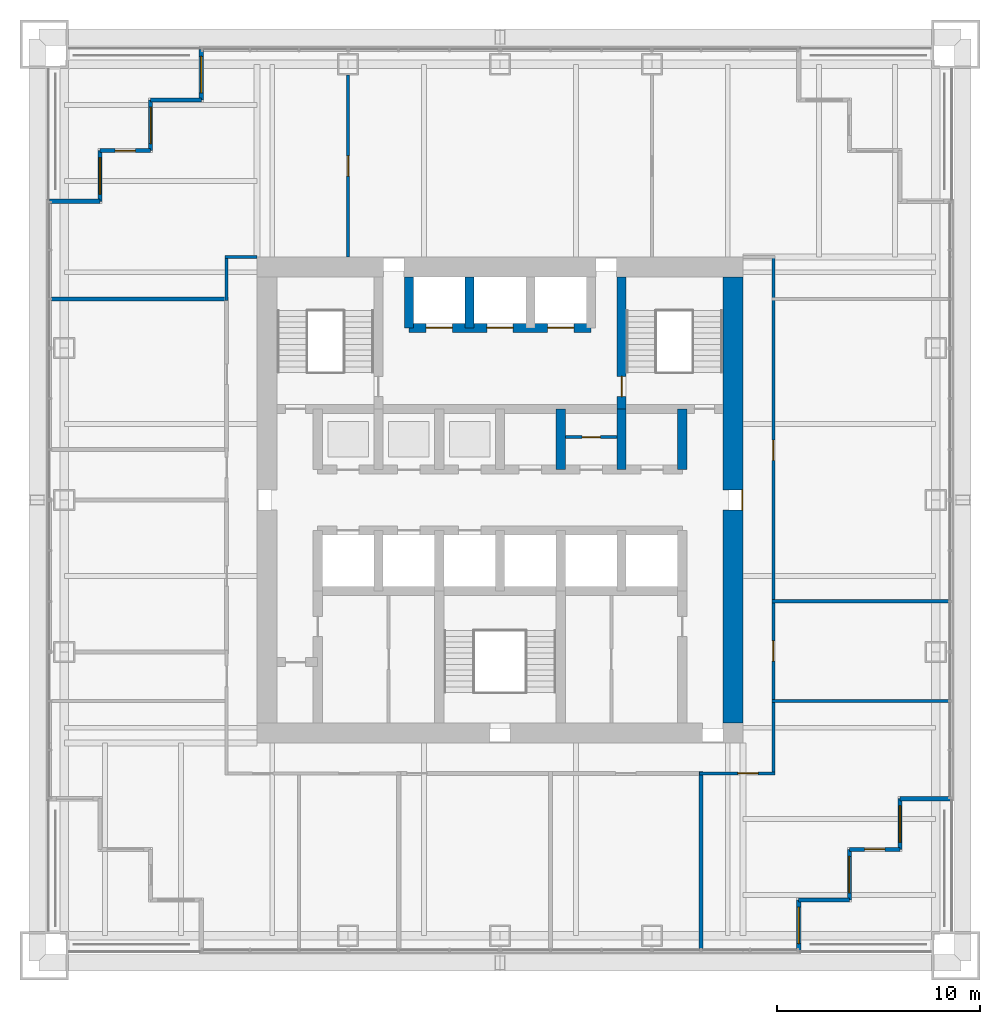
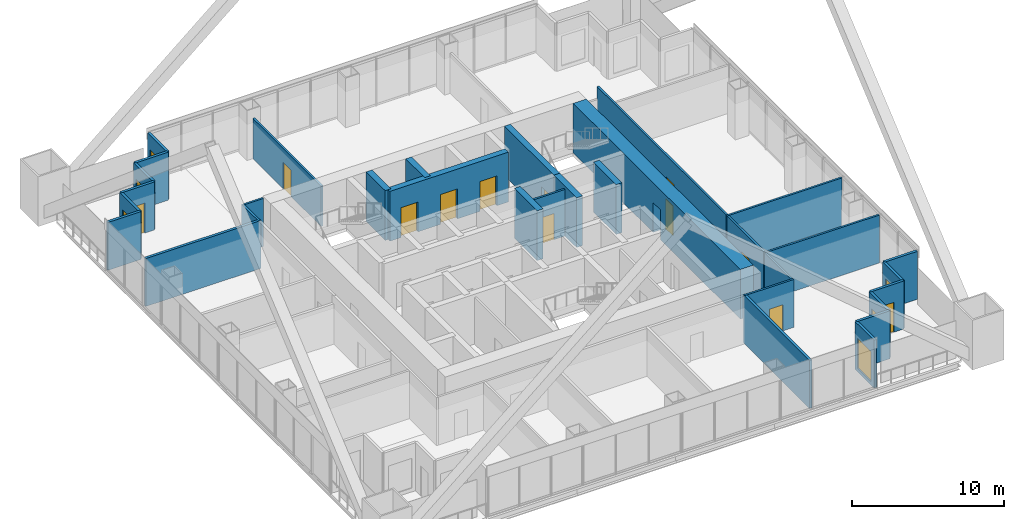
# One storey, part 10 of 14: 30 walls, 12 doors, 6 windows, 18 openings.
"""IFC4 building model written with IfcOpenShell, lengths in metres."""

from ifc_helpers import new_model, si_unit, direction, frame, frame_2d, origin, place, context, subcontext, project, spatial, rectangle, extrude, material, layer, layer_set, type_object, element, fill, save


model = new_model("IFC4")

# Units and contexts
model_context = context("Model", 3, precision=1e-05, world=origin(), true_north=direction((0.0, 1.0)))
body_context = subcontext(model_context, "Body", "Model", "MODEL_VIEW")
ifc_project = project(units=[si_unit("LENGTHUNIT", "METRE"), si_unit("AREAUNIT", "SQUARE_METRE"), si_unit("VOLUMEUNIT", "CUBIC_METRE"), si_unit("PLANEANGLEUNIT", "RADIAN"), si_unit("MASSUNIT", "GRAM", prefix="KILO")], contexts=[model_context])

# Site, building, storey
site_placement = place(None, origin())
site = spatial("IfcSite", under=ifc_project, at=site_placement, CompositionType="ELEMENT")
building_placement = place(site_placement, origin())
building = spatial("IfcBuilding", under=site, at=building_placement, Name="Tarangal Relay Tower", CompositionType="ELEMENT")
storey_placement = place(building_placement, frame((0.0, 0.0, 177.89990234375)))
storey = spatial("IfcBuildingStorey", under=building, at=storey_placement, Name="L36", CompositionType="ELEMENT", Elevation=177.89990234375)

# Walls
ifc_material_1 = material(Name="Two layers gypsum board each side on twin steel studs, mineral wool", Category="steel")
ifc_layer_1 = layer(ifc_material_1, 0.199951171875)
ifc_layer_set_1 = layer_set([ifc_layer_1], Name="Acoustic partition 200")
wall_type_1 = type_object("IfcWallType", Name="Acoustic partition 200", PredefinedType="PARTITIONING", material=ifc_layer_set_1)
for number, where, z_axis, x_axis, name in (
    (1, (-22.14990234375, 9.9169921875, 0.0), (0.0, 0.0, 1.0), (1.0, 0.0, 0.0), "Partition PT2 L36"),
    (2, (9.9169921875, -22.14990234375, 0.0), (0.0, 0.0, 1.0), (0.0, 1.0, 0.0), "Partition PT2 L36"),
):
    element("IfcWall", number, at=place(storey_placement, frame(where, z_axis=z_axis, x_axis=x_axis)), inside=storey, type_object=wall_type_1, Name=name, PredefinedType="PARTITIONING", context=body_context, shape_type="SweptSolid", body=[
        extrude(rectangle(XDim=8.75, YDim=0.199951171875, at=frame_2d((4.375, 0.0))), origin(), (0.0, 0.0, 1.0), 3.85009765625),
    ])

# Wall, openings, doors
ifc_material_2 = material(Name="Concrete fc' 60 MPa", Category="concrete")
ifc_layer_2 = layer(ifc_material_2, 0.449951171875)
ifc_layer_set_2 = layer_set([ifc_layer_2], Name="Core inner wall 450")
wall_type_2 = type_object("IfcWallType", Name="Core inner wall 450", PredefinedType="SHEAR", material=ifc_layer_set_2)
wall_1_placement = place(storey_placement, frame((-4.5, 8.5, 0.0), z_axis=(0.0, 0.0, 1.0), x_axis=(1.0, 0.0, 0.0)))
wall_1 = element("IfcWall", 3, at=wall_1_placement, inside=storey, type_object=wall_type_2, Name="Core wall Y85 L36", PredefinedType="SHEAR", context=body_context, shape_type="SweptSolid", body=[
    extrude(rectangle(XDim=9.0, YDim=0.449951171875, at=frame_2d((4.5, 0.0))), origin(), (0.0, 0.0, 1.0), 4.0),
])
opening_1_placement = place(wall_1_placement, frame((0.85009765625, 0.0, 0.0)))
opening_1 = element("IfcOpeningElement", 4, at=opening_1_placement, cuts=wall_1, Name="Opening LD2", PredefinedType="OPENING", context=body_context, shape_type="SweptSolid", body=[
    extrude(rectangle(XDim=1.300048828125, YDim=2.39990234375, at=frame_2d((0.64990234375, 1.199951171875))), frame((0.0, 0.23486328125, 0.0), z_axis=(0.0, -1.0, 0.0), x_axis=(1.0, 0.0, 0.0)), (0.0, 0.0, 1.0), 0.469970703125),
])
opening_2_placement = place(wall_1_placement, frame((6.85009765625, 0.0, 0.0)))
opening_2 = element("IfcOpeningElement", 5, at=opening_2_placement, cuts=wall_1, Name="Opening LD2", PredefinedType="OPENING", context=body_context, shape_type="SweptSolid", body=[
    extrude(rectangle(XDim=1.300048828125, YDim=2.39990234375, at=frame_2d((0.64990234375, 1.199951171875))), frame((0.0, 0.23486328125, 0.0), z_axis=(0.0, -1.0, 0.0), x_axis=(1.0, 0.0, 0.0)), (0.0, 0.0, 1.0), 0.469970703125),
])
opening_3_placement = place(wall_1_placement, frame((3.85009765625, 0.0, 0.0)))
opening_3 = element("IfcOpeningElement", 6, at=opening_3_placement, cuts=wall_1, Name="Opening LD2", PredefinedType="OPENING", context=body_context, shape_type="SweptSolid", body=[
    extrude(rectangle(XDim=1.300048828125, YDim=2.39990234375, at=frame_2d((0.64990234375, 1.199951171875))), frame((0.0, 0.23486328125, 0.0), z_axis=(0.0, -1.0, 0.0), x_axis=(1.0, 0.0, 0.0)), (0.0, 0.0, 1.0), 0.469970703125),
])
ifc_material_3 = material(Name="Steel door with hardwood frame", Category="steel")
door_type_1 = type_object("IfcDoorType", Name="Lift landing door 1300 x 2400", OperationType="SLIDING_TO_LEFT", PredefinedType="DOOR", material=ifc_material_3)
door_1_placement = place(opening_1_placement, origin())
door_1 = element("IfcDoor", 7, at=door_1_placement, inside=storey, type_object=door_type_1, Name="Lift FF1 landing door L36", OperationType="SLIDING_TO_LEFT", OverallHeight=2.39990234375, OverallWidth=1.300048828125, PredefinedType="DOOR", context=body_context, shape_type="SweptSolid", body=[
    extrude(rectangle(XDim=1.300048828125, YDim=2.39990234375, at=frame_2d((0.64990234375, 1.199951171875))), frame((0.0, 0.02490234375, 0.0), z_axis=(0.0, -1.0, 0.0), x_axis=(1.0, 0.0, 0.0)), (0.0, 0.0, 1.0), 0.050048828125),
])
fill(opening_1, door_1)
door_2_placement = place(opening_2_placement, origin())
door_2 = element("IfcDoor", 8, at=door_2_placement, inside=storey, type_object=door_type_1, Name="Lift FF2 landing door L36", OperationType="SLIDING_TO_LEFT", OverallHeight=2.39990234375, OverallWidth=1.300048828125, PredefinedType="DOOR", context=body_context, shape_type="SweptSolid", body=[
    extrude(rectangle(XDim=1.300048828125, YDim=2.39990234375, at=frame_2d((0.64990234375, 1.199951171875))), frame((0.0, 0.02490234375, 0.0), z_axis=(0.0, -1.0, 0.0), x_axis=(1.0, 0.0, 0.0)), (0.0, 0.0, 1.0), 0.050048828125),
])
fill(opening_2, door_2)
door_3_placement = place(opening_3_placement, origin())
door_3 = element("IfcDoor", 9, at=door_3_placement, inside=storey, type_object=door_type_1, Name="Lift SV1 landing door L36", OperationType="SLIDING_TO_LEFT", OverallHeight=2.39990234375, OverallWidth=1.300048828125, PredefinedType="DOOR", context=body_context, shape_type="SweptSolid", body=[
    extrude(rectangle(XDim=1.300048828125, YDim=2.39990234375, at=frame_2d((0.64990234375, 1.199951171875))), frame((0.0, 0.02490234375, 0.0), z_axis=(0.0, -1.0, 0.0), x_axis=(1.0, 0.0, 0.0)), (0.0, 0.0, 1.0), 0.050048828125),
])
fill(opening_3, door_3)

# Walls
for number, where, z_axis, x_axis, name in (
    (10, (9.0, 1.5, 0.0), (0.0, 0.0, 1.0), (0.0, 1.0, 0.0), "Core wall X9N L36"),
    (11, (3.0, 1.5, 0.0), (0.0, 0.0, 1.0), (0.0, 1.0, 0.0), "Core wall X3N L36"),
    (12, (6.0, 1.5, 0.0), (0.0, 0.0, 1.0), (0.0, 1.0, 0.0), "Core wall X6N L36"),
):
    element("IfcWall", number, at=place(storey_placement, frame(where, z_axis=z_axis, x_axis=x_axis)), inside=storey, type_object=wall_type_2, Name=name, PredefinedType="SHEAR", context=body_context, shape_type="SweptSolid", body=[
        extrude(rectangle(XDim=3.0, YDim=0.449951171875, at=frame_2d((1.5, 0.0))), origin(), (0.0, 0.0, 1.0), 4.0),
    ])

# Wall, opening, door
wall_2_placement = place(storey_placement, frame((6.0, 4.5, 0.0), z_axis=(0.0, 0.0, 1.0), x_axis=(0.0, 1.0, 0.0)))
wall_2 = element("IfcWall", 13, at=wall_2_placement, inside=storey, type_object=wall_type_2, Name="Core wall X6 L36", PredefinedType="SHEAR", context=body_context, shape_type="SweptSolid", body=[
    extrude(rectangle(XDim=6.5, YDim=0.449951171875, at=frame_2d((3.25, 0.0))), origin(), (0.0, 0.0, 1.0), 4.0),
])
opening_4_placement = place(wall_2_placement, frame((0.60009765625, 0.0, 0.0)))
opening_4 = element("IfcOpeningElement", 14, at=opening_4_placement, cuts=wall_2, Name="Opening FD1", PredefinedType="OPENING", context=body_context, shape_type="SweptSolid", body=[
    extrude(rectangle(XDim=1.0, YDim=2.10009765625, at=frame_2d((0.5, 1.050048828125))), frame((0.0, 0.23486328125, 0.0), z_axis=(0.0, -1.0, 0.0), x_axis=(1.0, 0.0, 0.0)), (0.0, 0.0, 1.0), 0.469970703125),
])
door_type_2 = type_object("IfcDoorType", Name="Fire door 1000 x 2100", OperationType="SINGLE_SWING_LEFT", PredefinedType="DOOR", material=ifc_material_3)
door_4_placement = place(opening_4_placement, origin())
door_4 = element("IfcDoor", 15, at=door_4_placement, inside=storey, type_object=door_type_2, Name="Stair ST-B door from fire-fighting lobby L36", OperationType="SINGLE_SWING_LEFT", OverallHeight=2.10009765625, OverallWidth=1.0, PredefinedType="DOOR", context=body_context, shape_type="SweptSolid", body=[
    extrude(rectangle(XDim=1.0, YDim=2.10009765625, at=frame_2d((0.5, 1.050048828125))), frame((0.0, 0.02490234375, 0.0), z_axis=(0.0, -1.0, 0.0), x_axis=(1.0, 0.0, 0.0)), (0.0, 0.0, 1.0), 0.050048828125),
])
fill(opening_4, door_4)

# Walls
for number, where, z_axis, x_axis, name in (
    (16, (-4.5, 8.5, 0.0), (0.0, 0.0, 1.0), (0.0, 1.0, 0.0), "Core wall XM45 L36"),
    (17, (-1.5, 8.5, 0.0), (0.0, 0.0, 1.0), (0.0, 1.0, 0.0), "Core wall XM15 L36"),
):
    element("IfcWall", number, at=place(storey_placement, frame(where, z_axis=z_axis, x_axis=x_axis)), inside=storey, type_object=wall_type_2, Name=name, PredefinedType="SHEAR", context=body_context, shape_type="SweptSolid", body=[
        extrude(rectangle(XDim=2.5, YDim=0.449951171875, at=frame_2d((1.25, 0.0))), origin(), (0.0, 0.0, 1.0), 4.0),
    ])

# Wall, opening, door
ifc_layer_3 = layer(ifc_material_2, 1.0)
ifc_layer_set_3 = layer_set([ifc_layer_3], Name="Core wall 1000")
wall_type_3 = type_object("IfcWallType", Name="Core wall 1000", PredefinedType="SHEAR", material=ifc_layer_set_3)
wall_3_placement = place(storey_placement, frame((11.5, 11.0, 0.0), z_axis=(0.0, 0.0, 1.0), x_axis=(0.0, -1.0, 0.0)))
wall_3 = element("IfcWall", 18, at=wall_3_placement, inside=storey, type_object=wall_type_3, Name="Core wall E L36", PredefinedType="SHEAR", context=body_context, shape_type="SweptSolid", body=[
    extrude(rectangle(XDim=22.0, YDim=1.0, at=frame_2d((11.0, 0.0))), origin(), (0.0, 0.0, 1.0), 4.0),
])
opening_5_placement = place(wall_3_placement, frame((10.5, 0.0, 0.0)))
opening_5 = element("IfcOpeningElement", 19, at=opening_5_placement, cuts=wall_3, Name="Opening FD3", PredefinedType="OPENING", context=body_context, shape_type="SweptSolid", body=[
    extrude(rectangle(XDim=1.0, YDim=2.39990234375, at=frame_2d((0.5, 1.199951171875))), frame((0.0, 0.510009765625, 0.0), z_axis=(0.0, -1.0, 0.0), x_axis=(1.0, 0.0, 0.0)), (0.0, 0.0, 1.0), 1.02001953125),
])
door_type_3 = type_object("IfcDoorType", Name="Fire door 1000 x 2400 core entry", OperationType="SINGLE_SWING_RIGHT", PredefinedType="DOOR", material=ifc_material_3)
door_5_placement = place(opening_5_placement, origin())
door_5 = element("IfcDoor", 20, at=door_5_placement, inside=storey, type_object=door_type_3, Name="Core entry door east L36", OperationType="SINGLE_SWING_RIGHT", OverallHeight=2.39990234375, OverallWidth=1.0, PredefinedType="DOOR", context=body_context, shape_type="SweptSolid", body=[
    extrude(rectangle(XDim=1.0, YDim=2.39990234375, at=frame_2d((0.5, 1.199951171875))), frame((0.0, 0.48486328125, 0.0), z_axis=(0.0, -1.0, 0.0), x_axis=(1.0, 0.0, 0.0)), (0.0, 0.0, 1.0), 0.050048828125),
])
fill(opening_5, door_5)

# Wall
ifc_material_4 = material(Name="Black metal clad insulated wall", Category="steel")
ifc_layer_4 = layer(ifc_material_4, 0.199951171875)
ifc_layer_set_4 = layer_set([ifc_layer_4], Name="Corner wall metal clad 200")
wall_type_4 = type_object("IfcWallType", Name="Corner wall metal clad 200", PredefinedType="SOLIDWALL", material=ifc_layer_set_4)
wall_4_placement = place(storey_placement, frame((22.25, -14.75, 0.0), z_axis=(0.0, 0.0, 1.0), x_axis=(-1.0, 0.0, 0.0)))
element("IfcWall", 21, at=wall_4_placement, inside=storey, type_object=wall_type_4, Name="Facade wall E facade L36", PredefinedType="SOLIDWALL", context=body_context, shape_type="SweptSolid", body=[
    extrude(rectangle(XDim=2.5, YDim=0.199951171875, at=frame_2d((1.25, 0.0))), origin(), (0.0, 0.0, 1.0), 3.85009765625),
])

# Wall, opening, window
wall_5_placement = place(storey_placement, frame((19.75, -14.75, 0.0), z_axis=(0.0, 0.0, 1.0), x_axis=(0.0, -1.0, 0.0)))
wall_5 = element("IfcWall", 22, at=wall_5_placement, inside=storey, type_object=wall_type_4, Name="Facade wall E facade L36", PredefinedType="SOLIDWALL", context=body_context, shape_type="SweptSolid", body=[
    extrude(rectangle(XDim=2.5, YDim=0.199951171875, at=frame_2d((1.25, 0.0))), origin(), (0.0, 0.0, 1.0), 3.85009765625),
])
opening_6_placement = place(wall_5_placement, frame((0.35009765625, 0.0, 0.300048828125)))
opening_6 = element("IfcOpeningElement", 23, at=opening_6_placement, cuts=wall_5, Name="Opening WN2", PredefinedType="OPENING", context=body_context, shape_type="SweptSolid", body=[
    extrude(rectangle(XDim=1.800048828125, YDim=2.39990234375, at=frame_2d((0.89990234375, 1.199951171875))), frame((0.0, 0.10986328125, 0.0), z_axis=(0.0, -1.0, 0.0), x_axis=(1.0, 0.0, 0.0)), (0.0, 0.0, 1.0), 0.219970703125),
])
ifc_material_5 = material(Name="Dark tinted double glazing in black aluminium frame", Category="aluminium")
window_type = type_object("IfcWindowType", Name="Corner window 1800 x 2400", PartitioningType="SINGLE_PANEL", PredefinedType="WINDOW", material=ifc_material_5)
window_1_placement = place(opening_6_placement, origin())
window_1 = element("IfcWindow", 24, at=window_1_placement, inside=storey, type_object=window_type, Name="Corner window WN2 E facade L36", OverallHeight=2.39990234375, OverallWidth=1.800048828125, PartitioningType="SINGLE_PANEL", PredefinedType="WINDOW", context=body_context, shape_type="SweptSolid", body=[
    extrude(rectangle(XDim=1.800048828125, YDim=2.39990234375, at=frame_2d((0.89990234375, 1.199951171875))), frame((0.0, 0.030029296875, 0.0), z_axis=(0.0, -1.0, 0.0), x_axis=(1.0, 0.0, 0.0)), (0.0, 0.0, 1.0), 0.06005859375),
])
fill(opening_6, window_1)

# Wall, opening, door
wall_6_placement = place(storey_placement, frame((19.75, -17.25, 0.0), z_axis=(0.0, 0.0, 1.0), x_axis=(-1.0, 0.0, 0.0)))
wall_6 = element("IfcWall", 25, at=wall_6_placement, inside=storey, type_object=wall_type_4, Name="Facade wall E facade L36", PredefinedType="SOLIDWALL", context=body_context, shape_type="SweptSolid", body=[
    extrude(rectangle(XDim=2.5, YDim=0.199951171875, at=frame_2d((1.25, 0.0))), origin(), (0.0, 0.0, 1.0), 3.85009765625),
])
opening_7_placement = place(wall_6_placement, frame((0.75, 0.0, 0.0)))
opening_7 = element("IfcOpeningElement", 26, at=opening_7_placement, cuts=wall_6, Name="Opening TD1", PredefinedType="OPENING", context=body_context, shape_type="SweptSolid", body=[
    extrude(rectangle(XDim=1.0, YDim=2.39990234375, at=frame_2d((0.5, 1.199951171875))), frame((0.0, 0.10986328125, 0.0), z_axis=(0.0, -1.0, 0.0), x_axis=(1.0, 0.0, 0.0)), (0.0, 0.0, 1.0), 0.219970703125),
])
ifc_material_6 = material(Name="Aluminium glazed door", Category="aluminium")
door_type_4 = type_object("IfcDoorType", Name="Terrace door 1000 x 2400", OperationType="SINGLE_SWING_RIGHT", PredefinedType="DOOR", material=ifc_material_6)
door_6_placement = place(opening_7_placement, origin())
door_6 = element("IfcDoor", 27, at=door_6_placement, inside=storey, type_object=door_type_4, Name="Terrace door TD1 SE L36", OperationType="SINGLE_SWING_RIGHT", OverallHeight=2.39990234375, OverallWidth=1.0, PredefinedType="DOOR", context=body_context, shape_type="SweptSolid", body=[
    extrude(rectangle(XDim=1.0, YDim=2.39990234375, at=frame_2d((0.5, 1.199951171875))), frame((0.0, 0.02490234375, 0.0), z_axis=(0.0, -1.0, 0.0), x_axis=(1.0, 0.0, 0.0)), (0.0, 0.0, 1.0), 0.050048828125),
])
fill(opening_7, door_6)

# Wall, opening, window
wall_7_placement = place(storey_placement, frame((17.25, -17.25, 0.0), z_axis=(0.0, 0.0, 1.0), x_axis=(0.0, -1.0, 0.0)))
wall_7 = element("IfcWall", 28, at=wall_7_placement, inside=storey, type_object=wall_type_4, Name="Facade wall E facade L36", PredefinedType="SOLIDWALL", context=body_context, shape_type="SweptSolid", body=[
    extrude(rectangle(XDim=2.5, YDim=0.199951171875, at=frame_2d((1.25, 0.0))), origin(), (0.0, 0.0, 1.0), 3.85009765625),
])
opening_8_placement = place(wall_7_placement, frame((0.35009765625, 0.0, 0.300048828125)))
opening_8 = element("IfcOpeningElement", 29, at=opening_8_placement, cuts=wall_7, Name="Opening WN2", PredefinedType="OPENING", context=body_context, shape_type="SweptSolid", body=[
    extrude(rectangle(XDim=1.800048828125, YDim=2.39990234375, at=frame_2d((0.89990234375, 1.199951171875))), frame((0.0, 0.10986328125, 0.0), z_axis=(0.0, -1.0, 0.0), x_axis=(1.0, 0.0, 0.0)), (0.0, 0.0, 1.0), 0.219970703125),
])
window_2_placement = place(opening_8_placement, origin())
window_2 = element("IfcWindow", 30, at=window_2_placement, inside=storey, type_object=window_type, Name="Corner window WN2 E facade L36", OverallHeight=2.39990234375, OverallWidth=1.800048828125, PartitioningType="SINGLE_PANEL", PredefinedType="WINDOW", context=body_context, shape_type="SweptSolid", body=[
    extrude(rectangle(XDim=1.800048828125, YDim=2.39990234375, at=frame_2d((0.89990234375, 1.199951171875))), frame((0.0, 0.030029296875, 0.0), z_axis=(0.0, -1.0, 0.0), x_axis=(1.0, 0.0, 0.0)), (0.0, 0.0, 1.0), 0.06005859375),
])
fill(opening_8, window_2)

# Wall
wall_8_placement = place(storey_placement, frame((17.25, -19.75, 0.0), z_axis=(0.0, 0.0, 1.0), x_axis=(-1.0, 0.0, 0.0)))
element("IfcWall", 31, at=wall_8_placement, inside=storey, type_object=wall_type_4, Name="Facade wall E facade L36", PredefinedType="SOLIDWALL", context=body_context, shape_type="SweptSolid", body=[
    extrude(rectangle(XDim=2.5, YDim=0.199951171875, at=frame_2d((1.25, 0.0))), origin(), (0.0, 0.0, 1.0), 3.85009765625),
])

# Wall, opening, window
wall_9_placement = place(storey_placement, frame((14.75, -19.75, 0.0), z_axis=(0.0, 0.0, 1.0), x_axis=(0.0, -1.0, 0.0)))
wall_9 = element("IfcWall", 32, at=wall_9_placement, inside=storey, type_object=wall_type_4, Name="Facade wall E facade L36", PredefinedType="SOLIDWALL", context=body_context, shape_type="SweptSolid", body=[
    extrude(rectangle(XDim=2.5, YDim=0.199951171875, at=frame_2d((1.25, 0.0))), origin(), (0.0, 0.0, 1.0), 3.85009765625),
])
opening_9_placement = place(wall_9_placement, frame((0.35009765625, 0.0, 0.300048828125)))
opening_9 = element("IfcOpeningElement", 33, at=opening_9_placement, cuts=wall_9, Name="Opening WN2", PredefinedType="OPENING", context=body_context, shape_type="SweptSolid", body=[
    extrude(rectangle(XDim=1.800048828125, YDim=2.39990234375, at=frame_2d((0.89990234375, 1.199951171875))), frame((0.0, 0.10986328125, 0.0), z_axis=(0.0, -1.0, 0.0), x_axis=(1.0, 0.0, 0.0)), (0.0, 0.0, 1.0), 0.219970703125),
])
window_3_placement = place(opening_9_placement, origin())
window_3 = element("IfcWindow", 34, at=window_3_placement, inside=storey, type_object=window_type, Name="Corner window WN2 E facade L36", OverallHeight=2.39990234375, OverallWidth=1.800048828125, PartitioningType="SINGLE_PANEL", PredefinedType="WINDOW", context=body_context, shape_type="SweptSolid", body=[
    extrude(rectangle(XDim=1.800048828125, YDim=2.39990234375, at=frame_2d((0.89990234375, 1.199951171875))), frame((0.0, 0.030029296875, 0.0), z_axis=(0.0, -1.0, 0.0), x_axis=(1.0, 0.0, 0.0)), (0.0, 0.0, 1.0), 0.06005859375),
])
fill(opening_9, window_3)

# Wall
wall_10_placement = place(storey_placement, frame((-22.25, 14.75, 0.0), z_axis=(0.0, 0.0, 1.0), x_axis=(1.0, 0.0, 0.0)))
element("IfcWall", 35, at=wall_10_placement, inside=storey, type_object=wall_type_4, Name="Facade wall W facade L36", PredefinedType="SOLIDWALL", context=body_context, shape_type="SweptSolid", body=[
    extrude(rectangle(XDim=2.5, YDim=0.199951171875, at=frame_2d((1.25, 0.0))), origin(), (0.0, 0.0, 1.0), 3.85009765625),
])

# Wall, opening, window
wall_11_placement = place(storey_placement, frame((-19.75, 14.75, 0.0), z_axis=(0.0, 0.0, 1.0), x_axis=(0.0, 1.0, 0.0)))
wall_11 = element("IfcWall", 36, at=wall_11_placement, inside=storey, type_object=wall_type_4, Name="Facade wall W facade L36", PredefinedType="SOLIDWALL", context=body_context, shape_type="SweptSolid", body=[
    extrude(rectangle(XDim=2.5, YDim=0.199951171875, at=frame_2d((1.25, 0.0))), origin(), (0.0, 0.0, 1.0), 3.85009765625),
])
opening_10_placement = place(wall_11_placement, frame((0.35009765625, 0.0, 0.300048828125)))
opening_10 = element("IfcOpeningElement", 37, at=opening_10_placement, cuts=wall_11, Name="Opening WN2", PredefinedType="OPENING", context=body_context, shape_type="SweptSolid", body=[
    extrude(rectangle(XDim=1.800048828125, YDim=2.39990234375, at=frame_2d((0.89990234375, 1.199951171875))), frame((0.0, 0.10986328125, 0.0), z_axis=(0.0, -1.0, 0.0), x_axis=(1.0, 0.0, 0.0)), (0.0, 0.0, 1.0), 0.219970703125),
])
window_4_placement = place(opening_10_placement, origin())
window_4 = element("IfcWindow", 38, at=window_4_placement, inside=storey, type_object=window_type, Name="Corner window WN2 W facade L36", OverallHeight=2.39990234375, OverallWidth=1.800048828125, PartitioningType="SINGLE_PANEL", PredefinedType="WINDOW", context=body_context, shape_type="SweptSolid", body=[
    extrude(rectangle(XDim=1.800048828125, YDim=2.39990234375, at=frame_2d((0.89990234375, 1.199951171875))), frame((0.0, 0.030029296875, 0.0), z_axis=(0.0, -1.0, 0.0), x_axis=(1.0, 0.0, 0.0)), (0.0, 0.0, 1.0), 0.06005859375),
])
fill(opening_10, window_4)

# Wall, opening, door
wall_12_placement = place(storey_placement, frame((-19.75, 17.25, 0.0), z_axis=(0.0, 0.0, 1.0), x_axis=(1.0, 0.0, 0.0)))
wall_12 = element("IfcWall", 39, at=wall_12_placement, inside=storey, type_object=wall_type_4, Name="Facade wall W facade L36", PredefinedType="SOLIDWALL", context=body_context, shape_type="SweptSolid", body=[
    extrude(rectangle(XDim=2.5, YDim=0.199951171875, at=frame_2d((1.25, 0.0))), origin(), (0.0, 0.0, 1.0), 3.85009765625),
])
opening_11_placement = place(wall_12_placement, frame((0.75, 0.0, 0.0)))
opening_11 = element("IfcOpeningElement", 40, at=opening_11_placement, cuts=wall_12, Name="Opening TD1", PredefinedType="OPENING", context=body_context, shape_type="SweptSolid", body=[
    extrude(rectangle(XDim=1.0, YDim=2.39990234375, at=frame_2d((0.5, 1.199951171875))), frame((0.0, 0.10986328125, 0.0), z_axis=(0.0, -1.0, 0.0), x_axis=(1.0, 0.0, 0.0)), (0.0, 0.0, 1.0), 0.219970703125),
])
door_7_placement = place(opening_11_placement, origin())
door_7 = element("IfcDoor", 41, at=door_7_placement, inside=storey, type_object=door_type_4, Name="Terrace door TD1 NW L36", OperationType="SINGLE_SWING_RIGHT", OverallHeight=2.39990234375, OverallWidth=1.0, PredefinedType="DOOR", context=body_context, shape_type="SweptSolid", body=[
    extrude(rectangle(XDim=1.0, YDim=2.39990234375, at=frame_2d((0.5, 1.199951171875))), frame((0.0, 0.02490234375, 0.0), z_axis=(0.0, -1.0, 0.0), x_axis=(1.0, 0.0, 0.0)), (0.0, 0.0, 1.0), 0.050048828125),
])
fill(opening_11, door_7)

# Wall, opening, window
wall_13_placement = place(storey_placement, frame((-17.25, 17.25, 0.0), z_axis=(0.0, 0.0, 1.0), x_axis=(0.0, 1.0, 0.0)))
wall_13 = element("IfcWall", 42, at=wall_13_placement, inside=storey, type_object=wall_type_4, Name="Facade wall W facade L36", PredefinedType="SOLIDWALL", context=body_context, shape_type="SweptSolid", body=[
    extrude(rectangle(XDim=2.5, YDim=0.199951171875, at=frame_2d((1.25, 0.0))), origin(), (0.0, 0.0, 1.0), 3.85009765625),
])
opening_12_placement = place(wall_13_placement, frame((0.35009765625, 0.0, 0.300048828125)))
opening_12 = element("IfcOpeningElement", 43, at=opening_12_placement, cuts=wall_13, Name="Opening WN2", PredefinedType="OPENING", context=body_context, shape_type="SweptSolid", body=[
    extrude(rectangle(XDim=1.800048828125, YDim=2.39990234375, at=frame_2d((0.89990234375, 1.199951171875))), frame((0.0, 0.10986328125, 0.0), z_axis=(0.0, -1.0, 0.0), x_axis=(1.0, 0.0, 0.0)), (0.0, 0.0, 1.0), 0.219970703125),
])
window_5_placement = place(opening_12_placement, origin())
window_5 = element("IfcWindow", 44, at=window_5_placement, inside=storey, type_object=window_type, Name="Corner window WN2 W facade L36", OverallHeight=2.39990234375, OverallWidth=1.800048828125, PartitioningType="SINGLE_PANEL", PredefinedType="WINDOW", context=body_context, shape_type="SweptSolid", body=[
    extrude(rectangle(XDim=1.800048828125, YDim=2.39990234375, at=frame_2d((0.89990234375, 1.199951171875))), frame((0.0, 0.030029296875, 0.0), z_axis=(0.0, -1.0, 0.0), x_axis=(1.0, 0.0, 0.0)), (0.0, 0.0, 1.0), 0.06005859375),
])
fill(opening_12, window_5)

# Wall
wall_14_placement = place(storey_placement, frame((-17.25, 19.75, 0.0), z_axis=(0.0, 0.0, 1.0), x_axis=(1.0, 0.0, 0.0)))
element("IfcWall", 45, at=wall_14_placement, inside=storey, type_object=wall_type_4, Name="Facade wall W facade L36", PredefinedType="SOLIDWALL", context=body_context, shape_type="SweptSolid", body=[
    extrude(rectangle(XDim=2.5, YDim=0.199951171875, at=frame_2d((1.25, 0.0))), origin(), (0.0, 0.0, 1.0), 3.85009765625),
])

# Wall, opening, window
wall_15_placement = place(storey_placement, frame((-14.75, 19.75, 0.0), z_axis=(0.0, 0.0, 1.0), x_axis=(0.0, 1.0, 0.0)))
wall_15 = element("IfcWall", 46, at=wall_15_placement, inside=storey, type_object=wall_type_4, Name="Facade wall W facade L36", PredefinedType="SOLIDWALL", context=body_context, shape_type="SweptSolid", body=[
    extrude(rectangle(XDim=2.5, YDim=0.199951171875, at=frame_2d((1.25, 0.0))), origin(), (0.0, 0.0, 1.0), 3.85009765625),
])
opening_13_placement = place(wall_15_placement, frame((0.35009765625, 0.0, 0.300048828125)))
opening_13 = element("IfcOpeningElement", 47, at=opening_13_placement, cuts=wall_15, Name="Opening WN2", PredefinedType="OPENING", context=body_context, shape_type="SweptSolid", body=[
    extrude(rectangle(XDim=1.800048828125, YDim=2.39990234375, at=frame_2d((0.89990234375, 1.199951171875))), frame((0.0, 0.10986328125, 0.0), z_axis=(0.0, -1.0, 0.0), x_axis=(1.0, 0.0, 0.0)), (0.0, 0.0, 1.0), 0.219970703125),
])
window_6_placement = place(opening_13_placement, origin())
window_6 = element("IfcWindow", 48, at=window_6_placement, inside=storey, type_object=window_type, Name="Corner window WN2 W facade L36", OverallHeight=2.39990234375, OverallWidth=1.800048828125, PartitioningType="SINGLE_PANEL", PredefinedType="WINDOW", context=body_context, shape_type="SweptSolid", body=[
    extrude(rectangle(XDim=1.800048828125, YDim=2.39990234375, at=frame_2d((0.89990234375, 1.199951171875))), frame((0.0, 0.030029296875, 0.0), z_axis=(0.0, -1.0, 0.0), x_axis=(1.0, 0.0, 0.0)), (0.0, 0.0, 1.0), 0.06005859375),
])
fill(opening_13, window_6)

# Wall, opening, door
ifc_material_7 = material(Name="Gypsum board on steel studs", Category="steel")
ifc_layer_5 = layer(ifc_material_7, 0.14990234375)
ifc_layer_set_5 = layer_set([ifc_layer_5], Name="Partition 150")
wall_type_5 = type_object("IfcWallType", Name="Partition 150", PredefinedType="PARTITIONING", material=ifc_layer_set_5)
wall_16_placement = place(storey_placement, frame((9.842041015625, -13.5, 0.0), z_axis=(0.0, 0.0, 1.0), x_axis=(1.0, 0.0, 0.0)))
wall_16 = element("IfcWall", 49, at=wall_16_placement, inside=storey, type_object=wall_type_5, Name="Partition PT1 L36", PredefinedType="PARTITIONING", context=body_context, shape_type="SweptSolid", body=[
    extrude(rectangle(XDim=3.73291015625, YDim=0.14990234375, at=frame_2d((1.866455078125, 0.0))), origin(), (0.0, 0.0, 1.0), 3.85009765625),
])
opening_14_placement = place(wall_16_placement, frame((1.9013671875, 0.0, 0.0)))
opening_14 = element("IfcOpeningElement", 50, at=opening_14_placement, cuts=wall_16, Name="Opening D2", PredefinedType="OPENING", context=body_context, shape_type="SweptSolid", body=[
    extrude(rectangle(XDim=1.0, YDim=2.10009765625, at=frame_2d((0.5, 1.050048828125))), frame((0.0, 0.0849609375, 0.0), z_axis=(0.0, -1.0, 0.0), x_axis=(1.0, 0.0, 0.0)), (0.0, 0.0, 1.0), 0.169921875),
])
ifc_material_8 = material(Name="Hardwood door", Category="wood")
door_type_5 = type_object("IfcDoorType", Name="Door 1000 x 2100", OperationType="SINGLE_SWING_LEFT", PredefinedType="DOOR", material=ifc_material_8)
door_8_placement = place(opening_14_placement, origin())
door_8 = element("IfcDoor", 51, at=door_8_placement, inside=storey, type_object=door_type_5, Name="Door D2 to facilities management office L36-14", OperationType="SINGLE_SWING_LEFT", OverallHeight=2.10009765625, OverallWidth=1.0, PredefinedType="DOOR", context=body_context, shape_type="SweptSolid", body=[
    extrude(rectangle(XDim=1.0, YDim=2.10009765625, at=frame_2d((0.5, 1.050048828125))), frame((0.0, 0.02490234375, 0.0), z_axis=(0.0, -1.0, 0.0), x_axis=(1.0, 0.0, 0.0)), (0.0, 0.0, 1.0), 0.050048828125),
])
fill(opening_14, door_8)

# Walls
for number, where, z_axis, x_axis, name in (
    (52, (13.425048828125, -9.9169921875, 0.0), (0.0, 0.0, 1.0), (1.0, 0.0, 0.0), "Partition PT1 L36"),
    (53, (13.425048828125, -5.0, 0.0), (0.0, 0.0, 1.0), (1.0, 0.0, 0.0), "Partition PT1 L36"),
):
    element("IfcWall", number, at=place(storey_placement, frame(where, z_axis=z_axis, x_axis=x_axis)), inside=storey, type_object=wall_type_5, Name=name, PredefinedType="PARTITIONING", context=body_context, shape_type="SweptSolid", body=[
        extrude(rectangle(XDim=8.724853515625, YDim=0.14990234375, at=frame_2d((4.3623046875, 0.0))), origin(), (0.0, 0.0, 1.0), 3.85009765625),
    ])
wall_17_placement = place(storey_placement, frame((-13.574951171875, 12.0, 0.0), z_axis=(0.0, 0.0, 1.0), x_axis=(1.0, 0.0, 0.0)))
element("IfcWall", 54, at=wall_17_placement, inside=storey, type_object=wall_type_5, Name="Partition PT1 L36", PredefinedType="PARTITIONING", context=body_context, shape_type="SweptSolid", body=[
    extrude(rectangle(XDim=1.574951171875, YDim=0.14990234375, at=frame_2d((0.78759765625, 0.0))), origin(), (0.0, 0.0, 1.0), 3.85009765625),
])
wall_18_placement = place(storey_placement, frame((-13.5, 9.842041015625, 0.0), z_axis=(0.0, 0.0, 1.0), x_axis=(0.0, 1.0, 0.0)))
element("IfcWall", 55, at=wall_18_placement, inside=storey, type_object=wall_type_5, Name="Partition PT1 L36", PredefinedType="PARTITIONING", context=body_context, shape_type="SweptSolid", body=[
    extrude(rectangle(XDim=2.23291015625, YDim=0.14990234375, at=frame_2d((1.116455078125, 0.0))), origin(), (0.0, 0.0, 1.0), 3.85009765625),
])

# Wall, opening, door
wall_19_placement = place(storey_placement, frame((-7.5, 12.0, 0.0), z_axis=(0.0, 0.0, 1.0), x_axis=(0.0, 1.0, 0.0)))
wall_19 = element("IfcWall", 56, at=wall_19_placement, inside=storey, type_object=wall_type_5, Name="Partition PT1 L36", PredefinedType="PARTITIONING", context=body_context, shape_type="SweptSolid", body=[
    extrude(rectangle(XDim=8.989990234375, YDim=0.14990234375, at=frame_2d((4.4951171875, 0.0))), origin(), (0.0, 0.0, 1.0), 3.238037109375),
])
opening_15_placement = place(wall_19_placement, frame((3.9951171875, 0.0, 0.0)))
opening_15 = element("IfcOpeningElement", 57, at=opening_15_placement, cuts=wall_19, Name="Opening D2", PredefinedType="OPENING", context=body_context, shape_type="SweptSolid", body=[
    extrude(rectangle(XDim=1.0, YDim=2.10009765625, at=frame_2d((0.5, 1.050048828125))), frame((0.0, 0.0849609375, 0.0), z_axis=(0.0, -1.0, 0.0), x_axis=(1.0, 0.0, 0.0)), (0.0, 0.0, 1.0), 0.169921875),
])
door_9_placement = place(opening_15_placement, origin())
door_9 = element("IfcDoor", 58, at=door_9_placement, inside=storey, type_object=door_type_5, Name="Door D2 to concierge office L36-12", OperationType="SINGLE_SWING_LEFT", OverallHeight=2.10009765625, OverallWidth=1.0, PredefinedType="DOOR", context=body_context, shape_type="SweptSolid", body=[
    extrude(rectangle(XDim=1.0, YDim=2.10009765625, at=frame_2d((0.5, 1.050048828125))), frame((0.0, 0.02490234375, 0.0), z_axis=(0.0, -1.0, 0.0), x_axis=(1.0, 0.0, 0.0)), (0.0, 0.0, 1.0), 0.050048828125),
])
fill(opening_15, door_9)

# Wall, openings, doors
wall_20_placement = place(storey_placement, frame((13.5, -13.574951171875, 0.0), z_axis=(0.0, 0.0, 1.0), x_axis=(0.0, 1.0, 0.0)))
wall_20 = element("IfcWall", 59, at=wall_20_placement, inside=storey, type_object=wall_type_5, Name="Partition PT1 L36", PredefinedType="PARTITIONING", context=body_context, shape_type="SweptSolid", body=[
    extrude(rectangle(XDim=25.64990234375, YDim=0.14990234375, at=frame_2d((12.824951171875, 0.0))), origin(), (0.0, 0.0, 1.0), 3.85009765625),
])
opening_16_placement = place(wall_20_placement, frame((15.533447265625, 0.0, 0.0)))
opening_16 = element("IfcOpeningElement", 60, at=opening_16_placement, cuts=wall_20, Name="Opening D2", PredefinedType="OPENING", context=body_context, shape_type="SweptSolid", body=[
    extrude(rectangle(XDim=1.0, YDim=2.10009765625, at=frame_2d((0.5, 1.050048828125))), frame((0.0, 0.0849609375, 0.0), z_axis=(0.0, -1.0, 0.0), x_axis=(1.0, 0.0, 0.0)), (0.0, 0.0, 1.0), 0.169921875),
])
opening_17_placement = place(wall_20_placement, frame((5.616455078125, 0.0, 0.0)))
opening_17 = element("IfcOpeningElement", 61, at=opening_17_placement, cuts=wall_20, Name="Opening D2", PredefinedType="OPENING", context=body_context, shape_type="SweptSolid", body=[
    extrude(rectangle(XDim=1.0, YDim=2.10009765625, at=frame_2d((0.5, 1.050048828125))), frame((0.0, 0.0849609375, 0.0), z_axis=(0.0, -1.0, 0.0), x_axis=(1.0, 0.0, 0.0)), (0.0, 0.0, 1.0), 0.169921875),
])
door_10_placement = place(opening_16_placement, origin())
door_10 = element("IfcDoor", 62, at=door_10_placement, inside=storey, type_object=door_type_5, Name="Door D2 to staff restaurant L36-03", OperationType="SINGLE_SWING_LEFT", OverallHeight=2.10009765625, OverallWidth=1.0, PredefinedType="DOOR", context=body_context, shape_type="SweptSolid", body=[
    extrude(rectangle(XDim=1.0, YDim=2.10009765625, at=frame_2d((0.5, 1.050048828125))), frame((0.0, 0.02490234375, 0.0), z_axis=(0.0, -1.0, 0.0), x_axis=(1.0, 0.0, 0.0)), (0.0, 0.0, 1.0), 0.050048828125),
])
fill(opening_16, door_10)
door_11_placement = place(opening_17_placement, origin())
door_11 = element("IfcDoor", 63, at=door_11_placement, inside=storey, type_object=door_type_5, Name="Door D2 to servery L36-04", OperationType="SINGLE_SWING_LEFT", OverallHeight=2.10009765625, OverallWidth=1.0, PredefinedType="DOOR", context=body_context, shape_type="SweptSolid", body=[
    extrude(rectangle(XDim=1.0, YDim=2.10009765625, at=frame_2d((0.5, 1.050048828125))), frame((0.0, 0.02490234375, 0.0), z_axis=(0.0, -1.0, 0.0), x_axis=(1.0, 0.0, 0.0)), (0.0, 0.0, 1.0), 0.050048828125),
])
fill(opening_17, door_11)

# Wall, opening, door
wall_21_placement = place(storey_placement, frame((3.22509765625, 3.10009765625, 0.0), z_axis=(0.0, 0.0, 1.0), x_axis=(1.0, 0.0, 0.0)))
wall_21 = element("IfcWall", 64, at=wall_21_placement, inside=storey, type_object=wall_type_5, Name="Partition PT1 L36", PredefinedType="PARTITIONING", context=body_context, shape_type="SweptSolid", body=[
    extrude(rectangle(XDim=2.5498046875, YDim=0.14990234375, at=frame_2d((1.27490234375, 0.0))), origin(), (0.0, 0.0, 1.0), 3.75),
])
opening_18_placement = place(wall_21_placement, frame((0.824951171875, 0.0, 0.0)))
opening_18 = element("IfcOpeningElement", 65, at=opening_18_placement, cuts=wall_21, Name="Opening D5", PredefinedType="OPENING", context=body_context, shape_type="SweptSolid", body=[
    extrude(rectangle(XDim=0.89990234375, YDim=2.10009765625, at=frame_2d((0.449951171875, 1.050048828125))), frame((0.0, 0.0849609375, 0.0), z_axis=(0.0, -1.0, 0.0), x_axis=(1.0, 0.0, 0.0)), (0.0, 0.0, 1.0), 0.169921875),
])
door_type_6 = type_object("IfcDoorType", Name="Cupboard door 900 x 2100", OperationType="SINGLE_SWING_LEFT", PredefinedType="DOOR", material=ifc_material_8)
door_12_placement = place(opening_18_placement, origin())
door_12 = element("IfcDoor", 66, at=door_12_placement, inside=storey, type_object=door_type_6, Name="Door D5 to pantry cupboard L36-T2B", OperationType="SINGLE_SWING_LEFT", OverallHeight=2.10009765625, OverallWidth=0.89990234375, PredefinedType="DOOR", context=body_context, shape_type="SweptSolid", body=[
    extrude(rectangle(XDim=0.89990234375, YDim=2.10009765625, at=frame_2d((0.449951171875, 1.050048828125))), frame((0.0, 0.02490234375, 0.0), z_axis=(0.0, -1.0, 0.0), x_axis=(1.0, 0.0, 0.0)), (0.0, 0.0, 1.0), 0.050048828125),
])
fill(opening_18, door_12)

save(model, "model.ifc")
